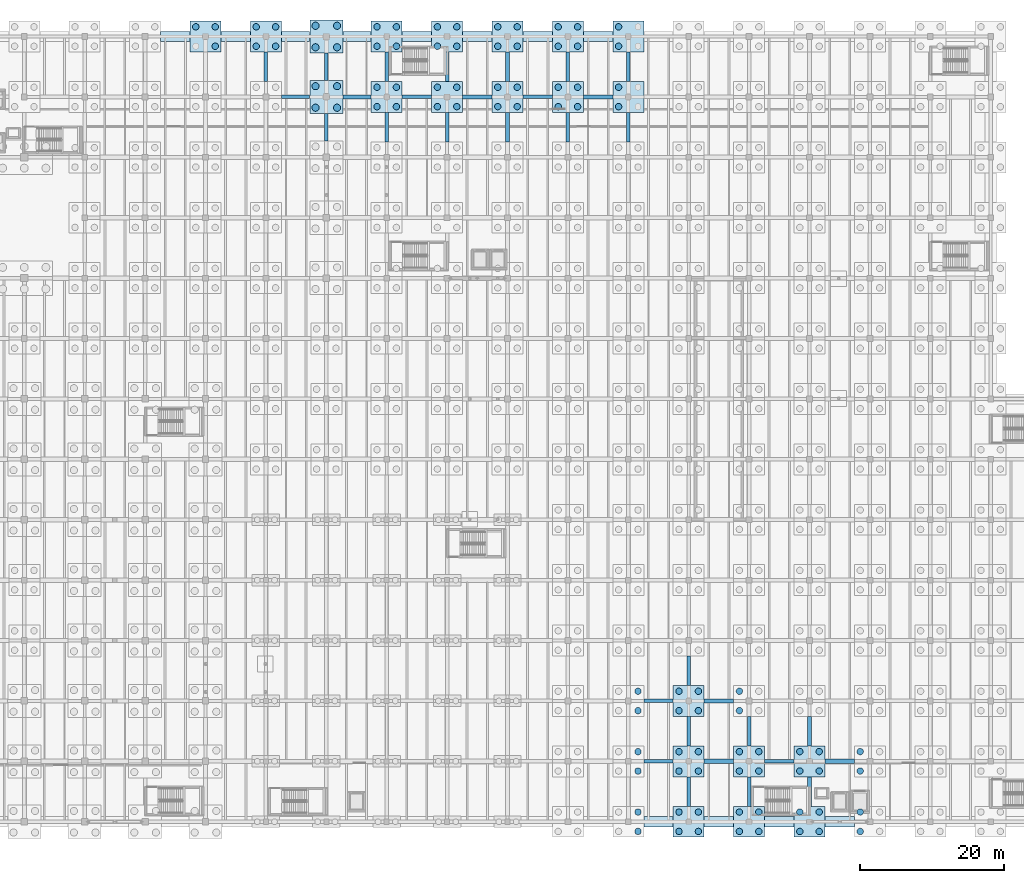
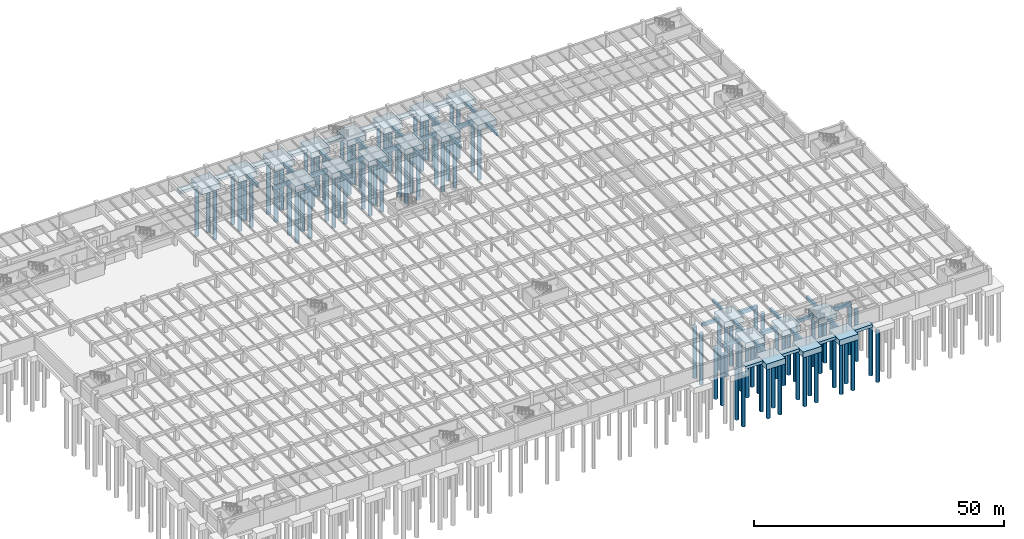
# One storey, part 9 of 70: 91 piles, 65 footings.
"""IFC4 building model written with IfcOpenShell, lengths in metres."""

from ifc_helpers import new_model, si_unit, direction, frame, origin, origin_2d, place, context, subcontext, project, spatial, rectangle, circle, extrude, material, material_profile, profile_set, type_object, element, save


model = new_model("IFC4")

# Units and contexts
model_context = context("Model", 3, precision=1e-05, world=origin(), true_north=direction((0.0, 1.0)))
body_context = subcontext(model_context, "Body", "Model", "MODEL_VIEW")
ifc_project = project(units=[si_unit("LENGTHUNIT", "METRE"), si_unit("AREAUNIT", "SQUARE_METRE"), si_unit("VOLUMEUNIT", "CUBIC_METRE"), si_unit("PLANEANGLEUNIT", "RADIAN"), si_unit("MASSUNIT", "GRAM", prefix="KILO")], contexts=[model_context])

# Site, building, storey
site_placement = place(None, origin())
site = spatial("IfcSite", under=ifc_project, at=site_placement, CompositionType="ELEMENT")
building_placement = place(site_placement, origin())
building = spatial("IfcBuilding", under=site, at=building_placement, Name="Cumbredor Promenade Congress Hotel", CompositionType="ELEMENT")
storey_placement = place(building_placement, frame((0.0, 0.0, -7.56005859375)))
storey = spatial("IfcBuildingStorey", under=building, at=storey_placement, Name="B02", CompositionType="ELEMENT", Elevation=-7.56005859375)

# Piles
ifc_material = material(Name="Concrete C40/50", Category="concrete")
ifc_material_profile_1 = material_profile(ifc_material, circle(Radius=0.449951171875, at=origin_2d()), Name="PILE D900")
ifc_profile_set_1 = profile_set([ifc_material_profile_1], Name="Concrete C40/50")
pile_type_1 = type_object("IfcPileType", Name="Bored Concrete Pile BP-02 900mm", PredefinedType="BORED", material=ifc_profile_set_1)
for number, where, z_axis, x_axis, name in (
    (1, (68.550048828125, 116.25, -1.75), (0.0, 0.0, -1.0), (1.0, 0.0, 0.0), "Bored Pile PC-02-113.2"),
    (2, (65.85009765625, 118.949951171875, -1.75), (0.0, 0.0, -1.0), (1.0, 0.0, 0.0), "Bored Pile PC-02-113.3"),
    (3, (68.550048828125, 118.949951171875, -1.75), (0.0, 0.0, -1.0), (1.0, 0.0, 0.0), "Bored Pile PC-02-113.4"),
    (4, (74.25, 116.25, -1.75), (0.0, 0.0, -1.0), (1.0, 0.0, 0.0), "Bored Pile PC-02-127.1"),
    (5, (76.949951171875, 116.25, -1.75), (0.0, 0.0, -1.0), (1.0, 0.0, 0.0), "Bored Pile PC-02-127.2"),
    (6, (74.25, 118.949951171875, -1.75), (0.0, 0.0, -1.0), (1.0, 0.0, 0.0), "Bored Pile PC-02-127.3"),
    (7, (76.949951171875, 118.949951171875, -1.75), (0.0, 0.0, -1.0), (1.0, 0.0, 0.0), "Bored Pile PC-02-127.4"),
    (8, (91.050048828125, 107.85009765625, -1.75), (0.0, 0.0, -1.0), (1.0, 0.0, 0.0), "Bored Pile PC-02-154.1"),
    (9, (93.75, 107.85009765625, -1.75), (0.0, 0.0, -1.0), (1.0, 0.0, 0.0), "Bored Pile PC-02-154.2"),
    (10, (91.050048828125, 110.550048828125, -1.75), (0.0, 0.0, -1.0), (1.0, 0.0, 0.0), "Bored Pile PC-02-154.3"),
    (11, (93.75, 110.550048828125, -1.75), (0.0, 0.0, -1.0), (1.0, 0.0, 0.0), "Bored Pile PC-02-154.4"),
    (12, (91.050048828125, 116.25, -1.75), (0.0, 0.0, -1.0), (1.0, 0.0, 0.0), "Bored Pile PC-02-155.1"),
    (13, (93.75, 116.25, -1.75), (0.0, 0.0, -1.0), (1.0, 0.0, 0.0), "Bored Pile PC-02-155.2"),
    (14, (91.050048828125, 118.949951171875, -1.75), (0.0, 0.0, -1.0), (1.0, 0.0, 0.0), "Bored Pile PC-02-155.3"),
    (15, (93.75, 118.949951171875, -1.75), (0.0, 0.0, -1.0), (1.0, 0.0, 0.0), "Bored Pile PC-02-155.4"),
    (16, (99.449951171875, 107.85009765625, -1.75), (0.0, 0.0, -1.0), (1.0, 0.0, 0.0), "Bored Pile PC-02-168.1"),
    (17, (102.14990234375, 107.85009765625, -1.75), (0.0, 0.0, -1.0), (1.0, 0.0, 0.0), "Bored Pile PC-02-168.2"),
    (18, (99.449951171875, 110.550048828125, -1.75), (0.0, 0.0, -1.0), (1.0, 0.0, 0.0), "Bored Pile PC-02-168.3"),
    (19, (102.14990234375, 110.550048828125, -1.75), (0.0, 0.0, -1.0), (1.0, 0.0, 0.0), "Bored Pile PC-02-168.4"),
    (20, (99.449951171875, 116.25, -1.75), (0.0, 0.0, -1.0), (1.0, 0.0, 0.0), "Bored Pile PC-02-169.1"),
    (21, (102.14990234375, 116.25, -1.75), (0.0, 0.0, -1.0), (1.0, 0.0, 0.0), "Bored Pile PC-02-169.2"),
    (22, (99.449951171875, 118.949951171875, -1.75), (0.0, 0.0, -1.0), (1.0, 0.0, 0.0), "Bored Pile PC-02-169.3"),
    (23, (102.14990234375, 118.949951171875, -1.75), (0.0, 0.0, -1.0), (1.0, 0.0, 0.0), "Bored Pile PC-02-169.4"),
    (24, (107.85009765625, 107.85009765625, -1.75), (0.0, 0.0, -1.0), (1.0, 0.0, 0.0), "Bored Pile PC-02-182.1"),
    (25, (110.550048828125, 107.85009765625, -1.75), (0.0, 0.0, -1.0), (1.0, 0.0, 0.0), "Bored Pile PC-02-182.2"),
    (26, (107.85009765625, 110.550048828125, -1.75), (0.0, 0.0, -1.0), (1.0, 0.0, 0.0), "Bored Pile PC-02-182.3"),
    (27, (110.550048828125, 110.550048828125, -1.75), (0.0, 0.0, -1.0), (1.0, 0.0, 0.0), "Bored Pile PC-02-182.4"),
    (28, (107.85009765625, 116.25, -1.75), (0.0, 0.0, -1.0), (1.0, 0.0, 0.0), "Bored Pile PC-02-183.1"),
    (29, (110.550048828125, 116.25, -1.75), (0.0, 0.0, -1.0), (1.0, 0.0, 0.0), "Bored Pile PC-02-183.2"),
    (30, (107.85009765625, 118.949951171875, -1.75), (0.0, 0.0, -1.0), (1.0, 0.0, 0.0), "Bored Pile PC-02-183.3"),
    (31, (110.550048828125, 118.949951171875, -1.75), (0.0, 0.0, -1.0), (1.0, 0.0, 0.0), "Bored Pile PC-02-183.4"),
    (32, (116.25, 107.85009765625, -1.75), (0.0, 0.0, -1.0), (1.0, 0.0, 0.0), "Bored Pile PC-02-196.1"),
    (33, (118.949951171875, 107.85009765625, -1.75), (0.0, 0.0, -1.0), (1.0, 0.0, 0.0), "Bored Pile PC-02-196.2"),
    (34, (116.25, 110.550048828125, -1.75), (0.0, 0.0, -1.0), (1.0, 0.0, 0.0), "Bored Pile PC-02-196.3"),
    (35, (118.949951171875, 110.550048828125, -1.75), (0.0, 0.0, -1.0), (1.0, 0.0, 0.0), "Bored Pile PC-02-196.4"),
    (36, (116.25, 116.25, -1.75), (0.0, 0.0, -1.0), (1.0, 0.0, 0.0), "Bored Pile PC-02-197.1"),
    (37, (118.949951171875, 116.25, -1.75), (0.0, 0.0, -1.0), (1.0, 0.0, 0.0), "Bored Pile PC-02-197.2"),
    (38, (116.25, 118.949951171875, -1.75), (0.0, 0.0, -1.0), (1.0, 0.0, 0.0), "Bored Pile PC-02-197.3"),
    (39, (118.949951171875, 118.949951171875, -1.75), (0.0, 0.0, -1.0), (1.0, 0.0, 0.0), "Bored Pile PC-02-197.4"),
    (40, (127.35009765625, 7.050048828125, -1.75), (0.0, 0.0, -1.0), (1.0, 0.0, 0.0), "Bored Pile PC-02-198.2"),
    (41, (127.35009765625, 9.75, -1.75), (0.0, 0.0, -1.0), (1.0, 0.0, 0.0), "Bored Pile PC-02-198.4"),
    (42, (127.35009765625, 15.449951171875, -1.75), (0.0, 0.0, -1.0), (1.0, 0.0, 0.0), "Bored Pile PC-02-199.2"),
    (43, (127.35009765625, 18.14990234375, -1.75), (0.0, 0.0, -1.0), (1.0, 0.0, 0.0), "Bored Pile PC-02-199.4"),
    (44, (127.35009765625, 23.85009765625, -1.75), (0.0, 0.0, -1.0), (1.0, 0.0, 0.0), "Bored Pile PC-02-200.2"),
    (45, (127.35009765625, 26.550048828125, -1.75), (0.0, 0.0, -1.0), (1.0, 0.0, 0.0), "Bored Pile PC-02-200.4"),
    (46, (124.64990234375, 107.85009765625, -1.75), (0.0, 0.0, -1.0), (1.0, 0.0, 0.0), "Bored Pile PC-02-210.1"),
    (47, (124.64990234375, 110.550048828125, -1.75), (0.0, 0.0, -1.0), (1.0, 0.0, 0.0), "Bored Pile PC-02-210.3"),
    (48, (124.64990234375, 116.25, -1.75), (0.0, 0.0, -1.0), (1.0, 0.0, 0.0), "Bored Pile PC-02-211.1"),
    (49, (124.64990234375, 118.949951171875, -1.75), (0.0, 0.0, -1.0), (1.0, 0.0, 0.0), "Bored Pile PC-02-211.3"),
    (50, (133.050048828125, 7.050048828125, -1.75), (0.0, 0.0, -1.0), (1.0, 0.0, 0.0), "Bored Pile PC-02-212.1"),
    (51, (135.75, 7.050048828125, -1.75), (0.0, 0.0, -1.0), (1.0, 0.0, 0.0), "Bored Pile PC-02-212.2"),
    (52, (133.050048828125, 9.75, -1.75), (0.0, 0.0, -1.0), (1.0, 0.0, 0.0), "Bored Pile PC-02-212.3"),
    (53, (135.75, 9.75, -1.75), (0.0, 0.0, -1.0), (1.0, 0.0, 0.0), "Bored Pile PC-02-212.4"),
    (54, (133.050048828125, 15.449951171875, -1.75), (0.0, 0.0, -1.0), (1.0, 0.0, 0.0), "Bored Pile PC-02-213.1"),
    (55, (135.75, 15.449951171875, -1.75), (0.0, 0.0, -1.0), (1.0, 0.0, 0.0), "Bored Pile PC-02-213.2"),
    (56, (133.050048828125, 18.14990234375, -1.75), (0.0, 0.0, -1.0), (1.0, 0.0, 0.0), "Bored Pile PC-02-213.3"),
    (57, (135.75, 18.14990234375, -1.75), (0.0, 0.0, -1.0), (1.0, 0.0, 0.0), "Bored Pile PC-02-213.4"),
    (58, (133.050048828125, 23.85009765625, -1.75), (0.0, 0.0, -1.0), (1.0, 0.0, 0.0), "Bored Pile PC-02-214.1"),
    (59, (135.75, 23.85009765625, -1.75), (0.0, 0.0, -1.0), (1.0, 0.0, 0.0), "Bored Pile PC-02-214.2"),
    (60, (133.050048828125, 26.550048828125, -1.75), (0.0, 0.0, -1.0), (1.0, 0.0, 0.0), "Bored Pile PC-02-214.3"),
    (61, (135.75, 26.550048828125, -1.75), (0.0, 0.0, -1.0), (1.0, 0.0, 0.0), "Bored Pile PC-02-214.4"),
    (62, (141.449951171875, 7.050048828125, -1.75), (0.0, 0.0, -1.0), (1.0, 0.0, 0.0), "Bored Pile PC-02-226.1"),
    (63, (144.14990234375, 7.050048828125, -1.75), (0.0, 0.0, -1.0), (1.0, 0.0, 0.0), "Bored Pile PC-02-226.2"),
    (64, (141.449951171875, 9.75, -1.75), (0.0, 0.0, -1.0), (1.0, 0.0, 0.0), "Bored Pile PC-02-226.3"),
    (65, (144.14990234375, 9.75, -1.75), (0.0, 0.0, -1.0), (1.0, 0.0, 0.0), "Bored Pile PC-02-226.4"),
    (66, (141.449951171875, 15.449951171875, -1.75), (0.0, 0.0, -1.0), (1.0, 0.0, 0.0), "Bored Pile PC-02-227.1"),
    (67, (144.14990234375, 15.449951171875, -1.75), (0.0, 0.0, -1.0), (1.0, 0.0, 0.0), "Bored Pile PC-02-227.2"),
    (68, (141.449951171875, 18.14990234375, -1.75), (0.0, 0.0, -1.0), (1.0, 0.0, 0.0), "Bored Pile PC-02-227.3"),
    (69, (144.14990234375, 18.14990234375, -1.75), (0.0, 0.0, -1.0), (1.0, 0.0, 0.0), "Bored Pile PC-02-227.4"),
    (70, (141.449951171875, 23.85009765625, -1.75), (0.0, 0.0, -1.0), (1.0, 0.0, 0.0), "Bored Pile PC-02-228.1"),
    (71, (141.449951171875, 26.550048828125, -1.75), (0.0, 0.0, -1.0), (1.0, 0.0, 0.0), "Bored Pile PC-02-228.3"),
    (72, (149.85009765625, 7.050048828125, -1.75), (0.0, 0.0, -1.0), (1.0, 0.0, 0.0), "Bored Pile PC-02-240.1"),
    (73, (152.550048828125, 7.050048828125, -1.75), (0.0, 0.0, -1.0), (1.0, 0.0, 0.0), "Bored Pile PC-02-240.2"),
    (74, (149.85009765625, 9.75, -1.75), (0.0, 0.0, -1.0), (1.0, 0.0, 0.0), "Bored Pile PC-02-240.3"),
    (75, (152.550048828125, 9.75, -1.75), (0.0, 0.0, -1.0), (1.0, 0.0, 0.0), "Bored Pile PC-02-240.4"),
    (76, (149.85009765625, 15.449951171875, -1.75), (0.0, 0.0, -1.0), (1.0, 0.0, 0.0), "Bored Pile PC-02-241.1"),
    (77, (152.550048828125, 15.449951171875, -1.75), (0.0, 0.0, -1.0), (1.0, 0.0, 0.0), "Bored Pile PC-02-241.2"),
    (78, (149.85009765625, 18.14990234375, -1.75), (0.0, 0.0, -1.0), (1.0, 0.0, 0.0), "Bored Pile PC-02-241.3"),
    (79, (152.550048828125, 18.14990234375, -1.75), (0.0, 0.0, -1.0), (1.0, 0.0, 0.0), "Bored Pile PC-02-241.4"),
    (80, (158.25, 7.050048828125, -1.75), (0.0, 0.0, -1.0), (1.0, 0.0, 0.0), "Bored Pile PC-02-254.1"),
    (81, (158.25, 9.75, -1.75), (0.0, 0.0, -1.0), (1.0, 0.0, 0.0), "Bored Pile PC-02-254.3"),
    (82, (158.25, 15.449951171875, -1.75), (0.0, 0.0, -1.0), (1.0, 0.0, 0.0), "Bored Pile PC-02-255.1"),
    (83, (158.25, 18.14990234375, -1.75), (0.0, 0.0, -1.0), (1.0, 0.0, 0.0), "Bored Pile PC-02-255.3"),
):
    element("IfcPile", number, at=place(storey_placement, frame(where, z_axis=z_axis, x_axis=x_axis)), inside=storey, type_object=pile_type_1, Name=name, PredefinedType="BORED", context=body_context, shape_type="SweptSolid", body=[
        extrude(circle(Radius=0.449951171875, at=origin_2d()), origin(), (0.0, 0.0, 1.0), 12.5),
    ])
ifc_material_profile_2 = material_profile(ifc_material, circle(Radius=0.5, at=origin_2d()), Name="PILE D1000")
ifc_profile_set_2 = profile_set([ifc_material_profile_2], Name="Concrete C40/50")
pile_type_2 = type_object("IfcPileType", Name="Bored Concrete Pile BP-03 1000mm", PredefinedType="BORED", material=ifc_profile_set_2)
for number, where, z_axis, x_axis, name in (
    (84, (82.5, 107.699951171875, -1.949951171875), (0.0, 0.0, -1.0), (1.0, 0.0, 0.0), "Bored Pile PC-03-140.1"),
    (85, (85.5, 107.699951171875, -1.949951171875), (0.0, 0.0, -1.0), (1.0, 0.0, 0.0), "Bored Pile PC-03-140.2"),
    (86, (82.5, 110.699951171875, -1.949951171875), (0.0, 0.0, -1.0), (1.0, 0.0, 0.0), "Bored Pile PC-03-140.3"),
    (87, (85.5, 110.699951171875, -1.949951171875), (0.0, 0.0, -1.0), (1.0, 0.0, 0.0), "Bored Pile PC-03-140.4"),
    (88, (82.5, 116.10009765625, -1.949951171875), (0.0, 0.0, -1.0), (1.0, 0.0, 0.0), "Bored Pile PC-03-141.1"),
    (89, (85.5, 116.10009765625, -1.949951171875), (0.0, 0.0, -1.0), (1.0, 0.0, 0.0), "Bored Pile PC-03-141.2"),
    (90, (82.5, 119.10009765625, -1.949951171875), (0.0, 0.0, -1.0), (1.0, 0.0, 0.0), "Bored Pile PC-03-141.3"),
    (91, (85.5, 119.10009765625, -1.949951171875), (0.0, 0.0, -1.0), (1.0, 0.0, 0.0), "Bored Pile PC-03-141.4"),
):
    element("IfcPile", number, at=place(storey_placement, frame(where, z_axis=z_axis, x_axis=x_axis)), inside=storey, type_object=pile_type_2, Name=name, PredefinedType="BORED", context=body_context, shape_type="SweptSolid", body=[
        extrude(circle(Radius=0.5, at=origin_2d()), origin(), (0.0, 0.0, 1.0), 12.800048828125),
    ])

# Footings
ifc_material_profile_3 = material_profile(ifc_material, rectangle(XDim=0.5, YDim=0.800048828125, at=origin_2d()), Name="FB 500x800")
ifc_profile_set_3 = profile_set([ifc_material_profile_3], Name="Concrete C40/50")
footing_type_1 = type_object("IfcFootingType", Name="Concrete Footing Tie Beam FB-01 500x800", PredefinedType="FOOTING_BEAM", material=ifc_profile_set_3)
footing_1_placement = place(storey_placement, frame((77.751953125, 109.199951171875, -0.89990234375), z_axis=(1.0, 0.0, 0.0), x_axis=(0.0, 1.0, 0.0)))
element("IfcFooting", 92, at=footing_1_placement, inside=storey, type_object=footing_type_1, Name="Seismic Footing Tie Beam FB-233", PredefinedType="FOOTING_BEAM", context=body_context, shape_type="SweptSolid", body=[
    extrude(rectangle(XDim=0.5, YDim=0.800048828125, at=origin_2d()), origin(), (0.0, 0.0, 1.0), 3.946044921875),
])
footing_2_placement = place(storey_placement, frame((75.60009765625, 111.35205078125, -0.89990234375), z_axis=(0.0, 1.0, 0.0), x_axis=(-1.0, 0.0, 0.0)))
element("IfcFooting", 93, at=footing_2_placement, inside=storey, type_object=footing_type_1, Name="Seismic Footing Tie Beam FB-234", PredefinedType="FOOTING_BEAM", context=body_context, shape_type="SweptSolid", body=[
    extrude(rectangle(XDim=0.5, YDim=0.800048828125, at=origin_2d()), origin(), (0.0, 0.0, 1.0), 4.095947265625),
])
footing_3_placement = place(storey_placement, frame((84.0, 103.10205078125, -0.89990234375), z_axis=(0.0, 1.0, 0.0), x_axis=(-1.0, 0.0, 0.0)))
element("IfcFooting", 94, at=footing_3_placement, inside=storey, type_object=footing_type_1, Name="Seismic Footing Tie Beam FB-259", PredefinedType="FOOTING_BEAM", context=body_context, shape_type="SweptSolid", body=[
    extrude(rectangle(XDim=0.5, YDim=0.800048828125, at=origin_2d()), origin(), (0.0, 0.0, 1.0), 3.7958984375),
])
footing_4_placement = place(storey_placement, frame((84.0, 111.501953125, -0.89990234375), z_axis=(0.0, 1.0, 0.0), x_axis=(-1.0, 0.0, 0.0)))
element("IfcFooting", 95, at=footing_4_placement, inside=storey, type_object=footing_type_1, Name="Seismic Footing Tie Beam FB-261", PredefinedType="FOOTING_BEAM", context=body_context, shape_type="SweptSolid", body=[
    extrude(rectangle(XDim=0.5, YDim=0.800048828125, at=origin_2d()), origin(), (0.0, 0.0, 1.0), 3.796142578125),
])
footing_5_placement = place(storey_placement, frame((92.39990234375, 102.951904296875, -0.89990234375), z_axis=(0.0, 1.0, 0.0), x_axis=(-1.0, 0.0, 0.0)))
element("IfcFooting", 96, at=footing_5_placement, inside=storey, type_object=footing_type_1, Name="Seismic Footing Tie Beam FB-286", PredefinedType="FOOTING_BEAM", context=body_context, shape_type="SweptSolid", body=[
    extrude(rectangle(XDim=0.5, YDim=0.800048828125, at=origin_2d()), origin(), (0.0, 0.0, 1.0), 4.09619140625),
])
for number, where, z_axis, x_axis, name in (
    (97, (94.552001953125, 109.199951171875, -0.89990234375), (1.0, 0.0, 0.0), (0.0, 1.0, 0.0), "Seismic Footing Tie Beam FB-287"),
    (98, (92.39990234375, 111.35205078125, -0.89990234375), (0.0, 1.0, 0.0), (-1.0, 0.0, 0.0), "Seismic Footing Tie Beam FB-288"),
):
    element("IfcFooting", number, at=place(storey_placement, frame(where, z_axis=z_axis, x_axis=x_axis)), inside=storey, type_object=footing_type_1, Name=name, PredefinedType="FOOTING_BEAM", context=body_context, shape_type="SweptSolid", body=[
        extrude(rectangle(XDim=0.5, YDim=0.800048828125, at=origin_2d()), origin(), (0.0, 0.0, 1.0), 4.095947265625),
    ])
footing_6_placement = place(storey_placement, frame((100.800048828125, 102.951904296875, -0.89990234375), z_axis=(0.0, 1.0, 0.0), x_axis=(-1.0, 0.0, 0.0)))
element("IfcFooting", 99, at=footing_6_placement, inside=storey, type_object=footing_type_1, Name="Seismic Footing Tie Beam FB-313", PredefinedType="FOOTING_BEAM", context=body_context, shape_type="SweptSolid", body=[
    extrude(rectangle(XDim=0.5, YDim=0.800048828125, at=origin_2d()), origin(), (0.0, 0.0, 1.0), 4.09619140625),
])
footing_7_placement = place(storey_placement, frame((100.800048828125, 111.35205078125, -0.89990234375), z_axis=(0.0, 1.0, 0.0), x_axis=(-1.0, 0.0, 0.0)))
element("IfcFooting", 100, at=footing_7_placement, inside=storey, type_object=footing_type_1, Name="Seismic Footing Tie Beam FB-315", PredefinedType="FOOTING_BEAM", context=body_context, shape_type="SweptSolid", body=[
    extrude(rectangle(XDim=0.5, YDim=0.800048828125, at=origin_2d()), origin(), (0.0, 0.0, 1.0), 4.095947265625),
])
footing_8_placement = place(storey_placement, frame((109.199951171875, 102.951904296875, -0.89990234375), z_axis=(0.0, 1.0, 0.0), x_axis=(-1.0, 0.0, 0.0)))
element("IfcFooting", 101, at=footing_8_placement, inside=storey, type_object=footing_type_1, Name="Seismic Footing Tie Beam FB-340", PredefinedType="FOOTING_BEAM", context=body_context, shape_type="SweptSolid", body=[
    extrude(rectangle(XDim=0.5, YDim=0.800048828125, at=origin_2d()), origin(), (0.0, 0.0, 1.0), 4.09619140625),
])
for number, where, z_axis, x_axis, name in (
    (102, (111.35205078125, 109.199951171875, -0.89990234375), (1.0, 0.0, 0.0), (0.0, 1.0, 0.0), "Seismic Footing Tie Beam FB-341"),
    (103, (109.199951171875, 111.35205078125, -0.89990234375), (0.0, 1.0, 0.0), (-1.0, 0.0, 0.0), "Seismic Footing Tie Beam FB-342"),
):
    element("IfcFooting", number, at=place(storey_placement, frame(where, z_axis=z_axis, x_axis=x_axis)), inside=storey, type_object=footing_type_1, Name=name, PredefinedType="FOOTING_BEAM", context=body_context, shape_type="SweptSolid", body=[
        extrude(rectangle(XDim=0.5, YDim=0.800048828125, at=origin_2d()), origin(), (0.0, 0.0, 1.0), 4.095947265625),
    ])
footing_9_placement = place(storey_placement, frame((117.60009765625, 102.951904296875, -0.89990234375), z_axis=(0.0, 1.0, 0.0), x_axis=(-1.0, 0.0, 0.0)))
element("IfcFooting", 104, at=footing_9_placement, inside=storey, type_object=footing_type_1, Name="Seismic Footing Tie Beam FB-367", PredefinedType="FOOTING_BEAM", context=body_context, shape_type="SweptSolid", body=[
    extrude(rectangle(XDim=0.5, YDim=0.800048828125, at=origin_2d()), origin(), (0.0, 0.0, 1.0), 4.09619140625),
])
for number, where, z_axis, x_axis, name in (
    (105, (117.60009765625, 111.35205078125, -0.89990234375), (0.0, 1.0, 0.0), (-1.0, 0.0, 0.0), "Seismic Footing Tie Beam FB-369"),
    (106, (128.152099609375, 16.800048828125, -0.89990234375), (1.0, 0.0, 0.0), (0.0, 1.0, 0.0), "Seismic Footing Tie Beam FB-373"),
    (107, (128.152099609375, 25.199951171875, -0.89990234375), (1.0, 0.0, 0.0), (0.0, 1.0, 0.0), "Seismic Footing Tie Beam FB-375"),
):
    element("IfcFooting", number, at=place(storey_placement, frame(where, z_axis=z_axis, x_axis=x_axis)), inside=storey, type_object=footing_type_1, Name=name, PredefinedType="FOOTING_BEAM", context=body_context, shape_type="SweptSolid", body=[
        extrude(rectangle(XDim=0.5, YDim=0.800048828125, at=origin_2d()), origin(), (0.0, 0.0, 1.0), 4.095947265625),
    ])
footing_10_placement = place(storey_placement, frame((126.0, 102.951904296875, -0.89990234375), z_axis=(0.0, 1.0, 0.0), x_axis=(-1.0, 0.0, 0.0)))
element("IfcFooting", 108, at=footing_10_placement, inside=storey, type_object=footing_type_1, Name="Seismic Footing Tie Beam FB-394", PredefinedType="FOOTING_BEAM", context=body_context, shape_type="SweptSolid", body=[
    extrude(rectangle(XDim=0.5, YDim=0.800048828125, at=origin_2d()), origin(), (0.0, 0.0, 1.0), 4.09619140625),
])
for number, where, z_axis, x_axis, name in (
    (109, (126.0, 111.35205078125, -0.89990234375), (0.0, 1.0, 0.0), (-1.0, 0.0, 0.0), "Seismic Footing Tie Beam FB-396"),
    (110, (134.39990234375, 10.552001953125, -0.89990234375), (0.0, 1.0, 0.0), (-1.0, 0.0, 0.0), "Seismic Footing Tie Beam FB-399"),
):
    element("IfcFooting", number, at=place(storey_placement, frame(where, z_axis=z_axis, x_axis=x_axis)), inside=storey, type_object=footing_type_1, Name=name, PredefinedType="FOOTING_BEAM", context=body_context, shape_type="SweptSolid", body=[
        extrude(rectangle(XDim=0.5, YDim=0.800048828125, at=origin_2d()), origin(), (0.0, 0.0, 1.0), 4.095947265625),
    ])
footing_11_placement = place(storey_placement, frame((134.39990234375, 18.951904296875, -0.89990234375), z_axis=(0.0, 1.0, 0.0), x_axis=(-1.0, 0.0, 0.0)))
element("IfcFooting", 111, at=footing_11_placement, inside=storey, type_object=footing_type_1, Name="Seismic Footing Tie Beam FB-401", PredefinedType="FOOTING_BEAM", context=body_context, shape_type="SweptSolid", body=[
    extrude(rectangle(XDim=0.5, YDim=0.800048828125, at=origin_2d()), origin(), (0.0, 0.0, 1.0), 4.09619140625),
])
for number, where, z_axis, x_axis, name in (
    (112, (134.39990234375, 27.35205078125, -0.89990234375), (0.0, 1.0, 0.0), (-1.0, 0.0, 0.0), "Seismic Footing Tie Beam FB-403"),
    (113, (142.800048828125, 10.552001953125, -0.89990234375), (0.0, 1.0, 0.0), (-1.0, 0.0, 0.0), "Seismic Footing Tie Beam FB-426"),
):
    element("IfcFooting", number, at=place(storey_placement, frame(where, z_axis=z_axis, x_axis=x_axis)), inside=storey, type_object=footing_type_1, Name=name, PredefinedType="FOOTING_BEAM", context=body_context, shape_type="SweptSolid", body=[
        extrude(rectangle(XDim=0.5, YDim=0.800048828125, at=origin_2d()), origin(), (0.0, 0.0, 1.0), 4.095947265625),
    ])
for number, where, z_axis, x_axis, name in (
    (114, (144.951904296875, 16.800048828125, -0.89990234375), (1.0, 0.0, 0.0), (0.0, 1.0, 0.0), "Seismic Footing Tie Beam FB-427"),
    (115, (142.800048828125, 18.951904296875, -0.89990234375), (0.0, 1.0, 0.0), (-1.0, 0.0, 0.0), "Seismic Footing Tie Beam FB-428"),
):
    element("IfcFooting", number, at=place(storey_placement, frame(where, z_axis=z_axis, x_axis=x_axis)), inside=storey, type_object=footing_type_1, Name=name, PredefinedType="FOOTING_BEAM", context=body_context, shape_type="SweptSolid", body=[
        extrude(rectangle(XDim=0.5, YDim=0.800048828125, at=origin_2d()), origin(), (0.0, 0.0, 1.0), 4.09619140625),
    ])
footing_12_placement = place(storey_placement, frame((151.199951171875, 10.552001953125, -0.89990234375), z_axis=(0.0, 1.0, 0.0), x_axis=(-1.0, 0.0, 0.0)))
element("IfcFooting", 116, at=footing_12_placement, inside=storey, type_object=footing_type_1, Name="Seismic Footing Tie Beam FB-453", PredefinedType="FOOTING_BEAM", context=body_context, shape_type="SweptSolid", body=[
    extrude(rectangle(XDim=0.5, YDim=0.800048828125, at=origin_2d()), origin(), (0.0, 0.0, 1.0), 4.095947265625),
])
footing_13_placement = place(storey_placement, frame((151.199951171875, 18.951904296875, -0.89990234375), z_axis=(0.0, 1.0, 0.0), x_axis=(-1.0, 0.0, 0.0)))
element("IfcFooting", 117, at=footing_13_placement, inside=storey, type_object=footing_type_1, Name="Seismic Footing Tie Beam FB-455", PredefinedType="FOOTING_BEAM", context=body_context, shape_type="SweptSolid", body=[
    extrude(rectangle(XDim=0.5, YDim=0.800048828125, at=origin_2d()), origin(), (0.0, 0.0, 1.0), 4.09619140625),
])
ifc_material_profile_4 = material_profile(ifc_material, rectangle(XDim=0.60009765625, YDim=0.89990234375, at=origin_2d()), Name="FB 600x900")
ifc_profile_set_4 = profile_set([ifc_material_profile_4], Name="Concrete C40/50")
footing_type_2 = type_object("IfcFootingType", Name="Concrete Footing Tie Beam FB-02 600x900", PredefinedType="FOOTING_BEAM", material=ifc_profile_set_4)
footing_14_placement = place(storey_placement, frame((86.302001953125, 109.199951171875, -0.949951171875), z_axis=(1.0, 0.0, 0.0), x_axis=(0.0, 1.0, 0.0)))
element("IfcFooting", 118, at=footing_14_placement, inside=storey, type_object=footing_type_2, Name="Seismic Footing Tie Beam FB-260", PredefinedType="FOOTING_BEAM", context=body_context, shape_type="SweptSolid", body=[
    extrude(rectangle(XDim=0.60009765625, YDim=0.89990234375, at=origin_2d()), origin(), (0.0, 0.0, 1.0), 3.946044921875),
])
footing_15_placement = place(storey_placement, frame((102.951904296875, 109.199951171875, -0.949951171875), z_axis=(1.0, 0.0, 0.0), x_axis=(0.0, 1.0, 0.0)))
element("IfcFooting", 119, at=footing_15_placement, inside=storey, type_object=footing_type_2, Name="Seismic Footing Tie Beam FB-314", PredefinedType="FOOTING_BEAM", context=body_context, shape_type="SweptSolid", body=[
    extrude(rectangle(XDim=0.60009765625, YDim=0.89990234375, at=origin_2d()), origin(), (0.0, 0.0, 1.0), 4.09619140625),
])
for number, where, z_axis, x_axis, name in (
    (120, (119.751953125, 109.199951171875, -0.949951171875), (1.0, 0.0, 0.0), (0.0, 1.0, 0.0), "Seismic Footing Tie Beam FB-368"),
    (121, (136.552001953125, 16.800048828125, -0.949951171875), (1.0, 0.0, 0.0), (0.0, 1.0, 0.0), "Seismic Footing Tie Beam FB-400"),
    (122, (136.552001953125, 25.199951171875, -0.949951171875), (1.0, 0.0, 0.0), (0.0, 1.0, 0.0), "Seismic Footing Tie Beam FB-402"),
    (123, (153.35205078125, 16.800048828125, -0.949951171875), (1.0, 0.0, 0.0), (0.0, 1.0, 0.0), "Seismic Footing Tie Beam FB-454"),
):
    element("IfcFooting", number, at=place(storey_placement, frame(where, z_axis=z_axis, x_axis=x_axis)), inside=storey, type_object=footing_type_2, Name=name, PredefinedType="FOOTING_BEAM", context=body_context, shape_type="SweptSolid", body=[
        extrude(rectangle(XDim=0.60009765625, YDim=0.89990234375, at=origin_2d()), origin(), (0.0, 0.0, 1.0), 4.095947265625),
    ])
footing_type_3 = type_object("IfcFootingType", Name="Concrete Pile Cap PC-02 4300x4300x1400", PredefinedType="PILE_CAP", material=ifc_material)
for number, where, z_axis, x_axis, name in (
    (124, (67.199951171875, 117.60009765625, -1.89990234375), (0.0, 0.0, 1.0), (1.0, 0.0, 0.0), "Pile Cap PC-02 113"),
    (125, (75.60009765625, 117.60009765625, -1.89990234375), (0.0, 0.0, 1.0), (1.0, 0.0, 0.0), "Pile Cap PC-02 127"),
    (126, (92.39990234375, 109.199951171875, -1.89990234375), (0.0, 0.0, 1.0), (1.0, 0.0, 0.0), "Pile Cap PC-02 154"),
    (127, (92.39990234375, 117.60009765625, -1.89990234375), (0.0, 0.0, 1.0), (1.0, 0.0, 0.0), "Pile Cap PC-02 155"),
    (128, (100.800048828125, 109.199951171875, -1.89990234375), (0.0, 0.0, 1.0), (1.0, 0.0, 0.0), "Pile Cap PC-02 168"),
    (129, (100.800048828125, 117.60009765625, -1.89990234375), (0.0, 0.0, 1.0), (1.0, 0.0, 0.0), "Pile Cap PC-02 169"),
    (130, (109.199951171875, 109.199951171875, -1.89990234375), (0.0, 0.0, 1.0), (1.0, 0.0, 0.0), "Pile Cap PC-02 182"),
    (131, (109.199951171875, 117.60009765625, -1.89990234375), (0.0, 0.0, 1.0), (1.0, 0.0, 0.0), "Pile Cap PC-02 183"),
    (132, (117.60009765625, 109.199951171875, -1.89990234375), (0.0, 0.0, 1.0), (1.0, 0.0, 0.0), "Pile Cap PC-02 196"),
    (133, (117.60009765625, 117.60009765625, -1.89990234375), (0.0, 0.0, 1.0), (1.0, 0.0, 0.0), "Pile Cap PC-02 197"),
    (134, (126.0, 109.199951171875, -1.89990234375), (0.0, 0.0, 1.0), (1.0, 0.0, 0.0), "Pile Cap PC-02 210"),
    (135, (126.0, 117.60009765625, -1.89990234375), (0.0, 0.0, 1.0), (1.0, 0.0, 0.0), "Pile Cap PC-02 211"),
    (136, (134.39990234375, 8.39990234375, -1.89990234375), (0.0, 0.0, 1.0), (1.0, 0.0, 0.0), "Pile Cap PC-02 212"),
    (137, (134.39990234375, 16.800048828125, -1.89990234375), (0.0, 0.0, 1.0), (1.0, 0.0, 0.0), "Pile Cap PC-02 213"),
    (138, (134.39990234375, 25.199951171875, -1.89990234375), (0.0, 0.0, 1.0), (1.0, 0.0, 0.0), "Pile Cap PC-02 214"),
    (139, (142.800048828125, 8.39990234375, -1.89990234375), (0.0, 0.0, 1.0), (1.0, 0.0, 0.0), "Pile Cap PC-02 226"),
    (140, (142.800048828125, 16.800048828125, -1.89990234375), (0.0, 0.0, 1.0), (1.0, 0.0, 0.0), "Pile Cap PC-02 227"),
    (141, (151.199951171875, 8.39990234375, -1.89990234375), (0.0, 0.0, 1.0), (1.0, 0.0, 0.0), "Pile Cap PC-02 240"),
    (142, (151.199951171875, 16.800048828125, -1.89990234375), (0.0, 0.0, 1.0), (1.0, 0.0, 0.0), "Pile Cap PC-02 241"),
):
    element("IfcFooting", number, at=place(storey_placement, frame(where, z_axis=z_axis, x_axis=x_axis)), inside=storey, type_object=footing_type_3, Name=name, PredefinedType="PILE_CAP", context=body_context, shape_type="SweptSolid", body=[
        extrude(rectangle(XDim=4.300048828125, YDim=4.300048828125, at=origin_2d()), origin(), (0.0, 0.0, 1.0), 1.39990234375),
    ])
footing_type_4 = type_object("IfcFootingType", Name="Concrete Pile Cap PC-03 4600x4600x1600", PredefinedType="PILE_CAP", material=ifc_material)
for number, where, z_axis, x_axis, name in (
    (143, (84.0, 109.199951171875, -2.10009765625), (0.0, 0.0, 1.0), (1.0, 0.0, 0.0), "Pile Cap PC-03 140"),
    (144, (84.0, 117.60009765625, -2.10009765625), (0.0, 0.0, 1.0), (1.0, 0.0, 0.0), "Pile Cap PC-03 141"),
):
    element("IfcFooting", number, at=place(storey_placement, frame(where, z_axis=z_axis, x_axis=x_axis)), inside=storey, type_object=footing_type_4, Name=name, PredefinedType="PILE_CAP", context=body_context, shape_type="SweptSolid", body=[
        extrude(rectangle(XDim=4.60009765625, YDim=4.60009765625, at=origin_2d()), origin(), (0.0, 0.0, 1.0), 1.60009765625),
    ])
ifc_material_profile_5 = material_profile(ifc_material, rectangle(XDim=1.39990234375, YDim=0.699951171875, at=origin_2d()), Name="SF 1400x700")
ifc_profile_set_5 = profile_set([ifc_material_profile_5], Name="Concrete C40/50")
footing_type_5 = type_object("IfcFootingType", Name="Concrete Strip Footing SF-01 1400x700", PredefinedType="STRIP_FOOTING", material=ifc_profile_set_5)
for number, where, z_axis, x_axis, name in (
    (145, (128.152099609375, 8.39990234375, -0.849853515625), (1.0, 0.0, 0.0), (0.0, 1.0, 0.0), "Perimeter Strip Footing SF-01 Seg 15"),
    (146, (136.552001953125, 8.39990234375, -0.849853515625), (1.0, 0.0, 0.0), (0.0, 1.0, 0.0), "Perimeter Strip Footing SF-01 Seg 16"),
):
    element("IfcFooting", number, at=place(storey_placement, frame(where, z_axis=z_axis, x_axis=x_axis)), inside=storey, type_object=footing_type_5, Name=name, PredefinedType="STRIP_FOOTING", context=body_context, shape_type="SweptSolid", body=[
        extrude(rectangle(XDim=1.39990234375, YDim=0.699951171875, at=origin_2d()), origin(), (0.0, 0.0, 1.0), 4.095947265625),
    ])
footing_16_placement = place(storey_placement, frame((144.951904296875, 8.39990234375, -0.849853515625), z_axis=(1.0, 0.0, 0.0), x_axis=(0.0, 1.0, 0.0)))
element("IfcFooting", 147, at=footing_16_placement, inside=storey, type_object=footing_type_5, Name="Perimeter Strip Footing SF-01 Seg 17", PredefinedType="STRIP_FOOTING", context=body_context, shape_type="SweptSolid", body=[
    extrude(rectangle(XDim=1.39990234375, YDim=0.699951171875, at=origin_2d()), origin(), (0.0, 0.0, 1.0), 4.09619140625),
])
footing_17_placement = place(storey_placement, frame((153.35205078125, 8.39990234375, -0.849853515625), z_axis=(1.0, 0.0, 0.0), x_axis=(0.0, 1.0, 0.0)))
element("IfcFooting", 148, at=footing_17_placement, inside=storey, type_object=footing_type_5, Name="Perimeter Strip Footing SF-01 Seg 18", PredefinedType="STRIP_FOOTING", context=body_context, shape_type="SweptSolid", body=[
    extrude(rectangle(XDim=1.39990234375, YDim=0.699951171875, at=origin_2d()), origin(), (0.0, 0.0, 1.0), 4.095947265625),
])
footing_18_placement = place(storey_placement, frame((60.951904296875, 117.60009765625, -0.849853515625), z_axis=(1.0, 0.0, 0.0), x_axis=(0.0, 1.0, 0.0)))
element("IfcFooting", 149, at=footing_18_placement, inside=storey, type_object=footing_type_5, Name="Perimeter Strip Footing SF-05 Seg 08", PredefinedType="STRIP_FOOTING", context=body_context, shape_type="SweptSolid", body=[
    extrude(rectangle(XDim=1.39990234375, YDim=0.699951171875, at=origin_2d()), origin(), (0.0, 0.0, 1.0), 4.09619140625),
])
footing_19_placement = place(storey_placement, frame((69.35205078125, 117.60009765625, -0.849853515625), z_axis=(1.0, 0.0, 0.0), x_axis=(0.0, 1.0, 0.0)))
element("IfcFooting", 150, at=footing_19_placement, inside=storey, type_object=footing_type_5, Name="Perimeter Strip Footing SF-05 Seg 09", PredefinedType="STRIP_FOOTING", context=body_context, shape_type="SweptSolid", body=[
    extrude(rectangle(XDim=1.39990234375, YDim=0.699951171875, at=origin_2d()), origin(), (0.0, 0.0, 1.0), 4.095947265625),
])
for number, where, z_axis, x_axis, name in (
    (151, (77.751953125, 117.60009765625, -0.849853515625), (1.0, 0.0, 0.0), (0.0, 1.0, 0.0), "Perimeter Strip Footing SF-05 Seg 10"),
    (152, (86.302001953125, 117.60009765625, -0.849853515625), (1.0, 0.0, 0.0), (0.0, 1.0, 0.0), "Perimeter Strip Footing SF-05 Seg 11"),
):
    element("IfcFooting", number, at=place(storey_placement, frame(where, z_axis=z_axis, x_axis=x_axis)), inside=storey, type_object=footing_type_5, Name=name, PredefinedType="STRIP_FOOTING", context=body_context, shape_type="SweptSolid", body=[
        extrude(rectangle(XDim=1.39990234375, YDim=0.699951171875, at=origin_2d()), origin(), (0.0, 0.0, 1.0), 3.946044921875),
    ])
footing_20_placement = place(storey_placement, frame((94.552001953125, 117.60009765625, -0.849853515625), z_axis=(1.0, 0.0, 0.0), x_axis=(0.0, 1.0, 0.0)))
element("IfcFooting", 153, at=footing_20_placement, inside=storey, type_object=footing_type_5, Name="Perimeter Strip Footing SF-05 Seg 12", PredefinedType="STRIP_FOOTING", context=body_context, shape_type="SweptSolid", body=[
    extrude(rectangle(XDim=1.39990234375, YDim=0.699951171875, at=origin_2d()), origin(), (0.0, 0.0, 1.0), 4.095947265625),
])
footing_21_placement = place(storey_placement, frame((102.951904296875, 117.60009765625, -0.849853515625), z_axis=(1.0, 0.0, 0.0), x_axis=(0.0, 1.0, 0.0)))
element("IfcFooting", 154, at=footing_21_placement, inside=storey, type_object=footing_type_5, Name="Perimeter Strip Footing SF-05 Seg 13", PredefinedType="STRIP_FOOTING", context=body_context, shape_type="SweptSolid", body=[
    extrude(rectangle(XDim=1.39990234375, YDim=0.699951171875, at=origin_2d()), origin(), (0.0, 0.0, 1.0), 4.09619140625),
])
for number, where, z_axis, x_axis, name in (
    (155, (111.35205078125, 117.60009765625, -0.849853515625), (1.0, 0.0, 0.0), (0.0, 1.0, 0.0), "Perimeter Strip Footing SF-05 Seg 14"),
    (156, (119.751953125, 117.60009765625, -0.849853515625), (1.0, 0.0, 0.0), (0.0, 1.0, 0.0), "Perimeter Strip Footing SF-05 Seg 15"),
):
    element("IfcFooting", number, at=place(storey_placement, frame(where, z_axis=z_axis, x_axis=x_axis)), inside=storey, type_object=footing_type_5, Name=name, PredefinedType="STRIP_FOOTING", context=body_context, shape_type="SweptSolid", body=[
        extrude(rectangle(XDim=1.39990234375, YDim=0.699951171875, at=origin_2d()), origin(), (0.0, 0.0, 1.0), 4.095947265625),
    ])

save(model, "model.ifc")
